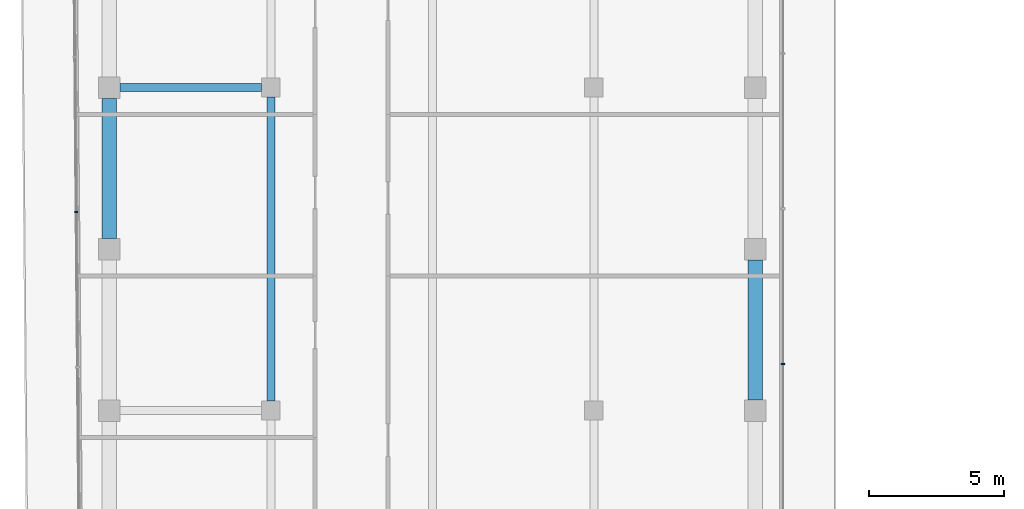
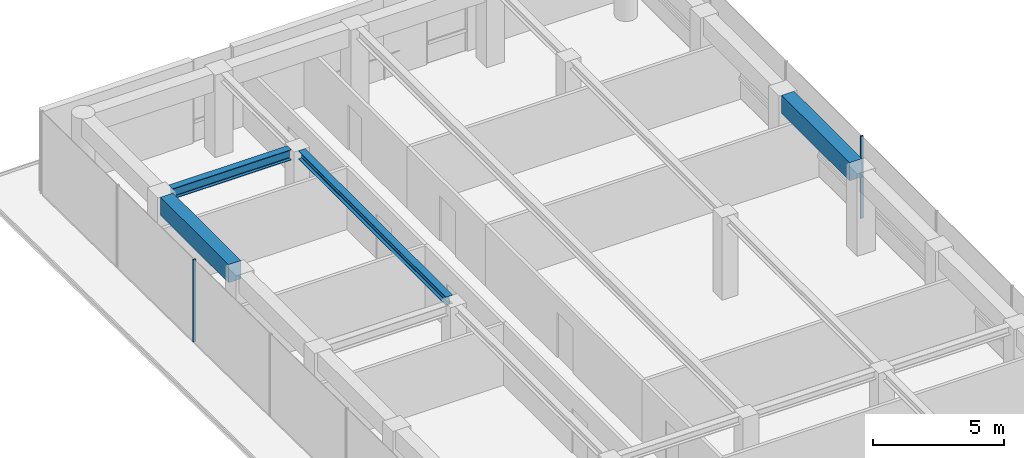
# One storey, part 10 of 19: 4 beams, 2 members, 2 elements without a shape of their own.
"""IFC4 building model written with IfcOpenShell, lengths in metres."""

from ifc_helpers import new_model, si_unit, direction, frame, origin, origin_2d, place, context, subcontext, project, spatial, rectangle, i_section, extrude, material, layer, layer_set, material_profile, profile_set, type_object, element, aggregate, save


model = new_model("IFC4")

# Units and contexts
model_context = context("Model", 3, precision=1e-05, world=origin(), true_north=direction((0.0, 1.0)))
body_context = subcontext(model_context, "Body", "Model", "MODEL_VIEW")
ifc_project = project(units=[si_unit("LENGTHUNIT", "METRE"), si_unit("AREAUNIT", "SQUARE_METRE"), si_unit("VOLUMEUNIT", "CUBIC_METRE"), si_unit("PLANEANGLEUNIT", "RADIAN"), si_unit("MASSUNIT", "GRAM", prefix="KILO")], contexts=[model_context])

# Site, building, storey
site_placement = place(None, origin())
site = spatial("IfcSite", under=ifc_project, at=site_placement, CompositionType="ELEMENT")
building_placement = place(site_placement, origin())
building = spatial("IfcBuilding", under=site, at=building_placement, Name="Welwitschia Terrace Campus", CompositionType="ELEMENT")
storey_placement = place(building_placement, frame((0.0, 0.0, 226.39990234375)))
storey = spatial("IfcBuildingStorey", under=building, at=storey_placement, Name="L50", CompositionType="ELEMENT", Elevation=226.39990234375)

# Beam
ifc_material_1 = material(Name="Steel S355", Category="steel")
ifc_material_profile_1 = material_profile(ifc_material_1, i_section(OverallWidth=0.300048828125, OverallDepth=0.389892578125, WebThickness=0.010986328125, FlangeThickness=0.01904296875, FilletRadius=0.027099609375, at=origin_2d()))
ifc_profile_set_1 = profile_set([ifc_material_profile_1], Name="Steel S355")
beam_type_1 = type_object("IfcBeamType", Name="Interior girder HE 400 A", PredefinedType="BEAM", material=ifc_profile_set_1)
beam_1_placement = place(storey_placement, frame((6.0, 52.3505859375, 3.655029296875), z_axis=(0.0, 1.0, 0.0), x_axis=(-1.0, 0.0, 0.0)))
element("IfcBeam", 1, at=beam_1_placement, inside=storey, type_object=beam_type_1, Name="Girder GB5", PredefinedType="BEAM", context=body_context, shape_type="SweptSolid", body=[
    extrude(i_section(OverallWidth=0.300048828125, OverallDepth=0.389892578125, WebThickness=0.010986328125, FlangeThickness=0.01904296875, FilletRadius=0.027099609375, at=origin_2d()), origin(), (0.0, 0.0, 1.0), 11.298828125),
])

# Curtain wall, member
ifc_material_2 = material(Name="Bronze anodised aluminium", Category="aluminium")
ifc_layer = layer(ifc_material_2, 0.1201171875)
ifc_layer_set = layer_set([ifc_layer], Name="Bronze anodised aluminium")
curtain_wall_type = type_object("IfcCurtainWallType", Name="Curtain wall CW2 tower 6000", PredefinedType="NOTDEFINED", material=ifc_layer_set)
curtain_wall_1_placement = place(storey_placement, origin())
curtain_wall_1 = element("IfcCurtainWall", 2, at=curtain_wall_1_placement, inside=storey, type_object=curtain_wall_type, Name="CW L50.0.0", PredefinedType="NOTDEFINED")
ifc_material_3 = material(Name="Bronze anodised aluminium", Category="aluminium")
ifc_material_profile_2 = material_profile(ifc_material_3, rectangle(XDim=0.1201171875, YDim=0.06005859375, at=origin_2d()))
ifc_profile_set_2 = profile_set([ifc_material_profile_2], Name="Bronze anodised aluminium")
member_type = type_object("IfcMemberType", Name="Mullion 60x120", PredefinedType="MULLION", material=ifc_profile_set_2)
member_1_placement = place(storey_placement, frame((-1.231201171875, 59.372802734375, 0.0), z_axis=(0.0, 0.0, 1.0), x_axis=(0.999961923064, 0.008726535498, 0.0)))
member_1 = element("IfcMember", 3, at=member_1_placement, type_object=member_type, Name="Mullion L50.0.0.2", PredefinedType="MULLION", context=body_context, shape_type="SweptSolid", body=[
    extrude(rectangle(XDim=0.1201171875, YDim=0.06005859375, at=origin_2d()), origin(), (0.0, 0.0, 1.0), 3.85009765625),
])
aggregate(curtain_wall_1, [member_1])

curtain_wall_2_placement = place(storey_placement, origin())
curtain_wall_2 = element("IfcCurtainWall", 4, at=curtain_wall_2_placement, inside=storey, type_object=curtain_wall_type, Name="CW L50.9.0", PredefinedType="NOTDEFINED")
member_2_placement = place(storey_placement, frame((25.030029296875, 53.733154296875, 0.0), z_axis=(0.0, 0.0, 1.0), x_axis=(-1.0, 0.0, 0.0)))
member_2 = element("IfcMember", 5, at=member_2_placement, type_object=member_type, Name="Mullion L50.9.0.3", PredefinedType="MULLION", context=body_context, shape_type="SweptSolid", body=[
    extrude(rectangle(XDim=0.1201171875, YDim=0.06005859375, at=origin_2d()), origin(), (0.0, 0.0, 1.0), 3.85009765625),
])
aggregate(curtain_wall_2, [member_2])

# Beams
ifc_material_4 = material(Name="Steel S355", Category="steel")
ifc_material_profile_3 = material_profile(ifc_material_4, i_section(OverallWidth=0.300048828125, OverallDepth=0.489990234375, WebThickness=0.011962890625, FlangeThickness=0.02294921875, FilletRadius=0.027099609375, at=origin_2d()))
ifc_profile_set_3 = profile_set([ifc_material_profile_3], Name="Steel S355")
beam_type_2 = type_object("IfcBeamType", Name="Primary beam HE 500 A", PredefinedType="BEAM", material=ifc_profile_set_3)
beam_2_placement = place(storey_placement, frame((0.400390625, 64.0, 3.60498046875), z_axis=(1.0, 0.0, 0.0), x_axis=(0.0, 1.0, 0.0)))
element("IfcBeam", 6, at=beam_2_placement, inside=storey, type_object=beam_type_2, Name="Primary beam PB5", PredefinedType="BEAM", context=body_context, shape_type="SweptSolid", body=[
    extrude(i_section(OverallWidth=0.300048828125, OverallDepth=0.489990234375, WebThickness=0.011962890625, FlangeThickness=0.02294921875, FilletRadius=0.027099609375, at=origin_2d()), origin(), (0.0, 0.0, 1.0), 5.2490234375),
])
ifc_material_5 = material(Name="Concrete C50/60", Category="concrete")
ifc_material_profile_4 = material_profile(ifc_material_5, rectangle(XDim=0.550048828125, YDim=0.85009765625, at=origin_2d()))
ifc_profile_set_4 = profile_set([ifc_material_profile_4], Name="Concrete C50/60")
beam_type_3 = type_object("IfcBeamType", Name="Ring spandrel 550x850", PredefinedType="SPANDREL", material=ifc_profile_set_4)
for number, where, z_axis, x_axis, name in (
    (7, (24.0, 52.400390625, 3.425048828125), (0.0, 1.0, 0.0), (-1.0, 0.0, 0.0), "Spandrel SP3"),
    (8, (0.0, 63.599609375, 3.425048828125), (0.0, -1.0, 0.0), (1.0, 0.0, 0.0), "Spandrel SP3"),
):
    element("IfcBeam", number, at=place(storey_placement, frame(where, z_axis=z_axis, x_axis=x_axis)), inside=storey, type_object=beam_type_3, Name=name, PredefinedType="SPANDREL", context=body_context, shape_type="SweptSolid", body=[
        extrude(rectangle(XDim=0.550048828125, YDim=0.85009765625, at=origin_2d()), origin(), (0.0, 0.0, 1.0), 5.19921875),
    ])

save(model, "model.ifc")
